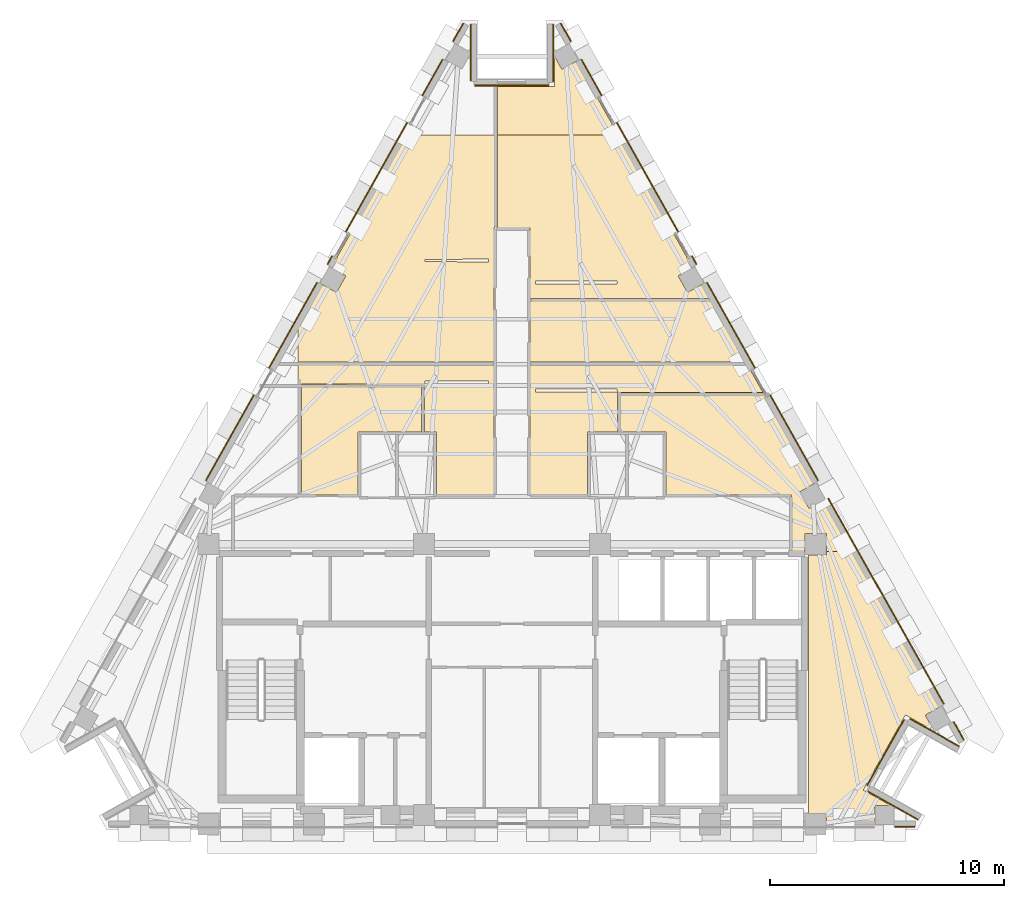
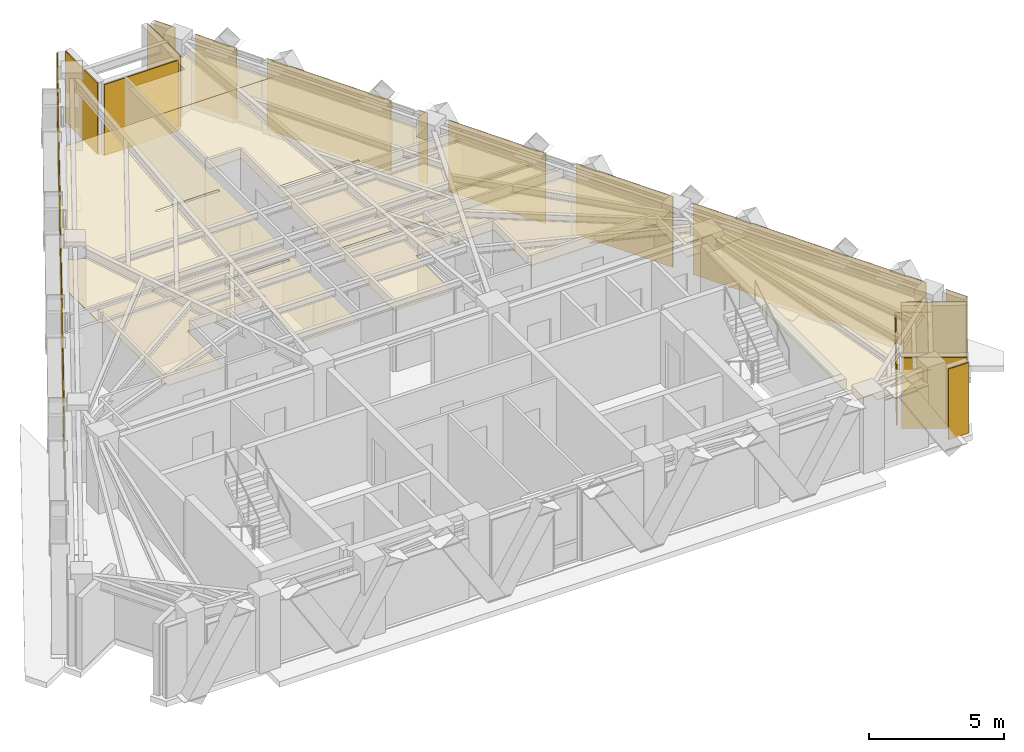
# One storey, part 9 of 9: 30 coverings.
"""IFC4 building model written with IfcOpenShell, lengths in metres."""

from ifc_helpers import new_model, si_unit, direction, frame, origin, place, context, subcontext, project, spatial, polyline, outline, extrude, material, layer, layer_set, type_object, element, save


model = new_model("IFC4")

# Units and contexts
model_context = context("Model", 3, precision=1e-05, world=origin(), true_north=direction((0.0, 1.0)))
body_context = subcontext(model_context, "Body", "Model", "MODEL_VIEW")
ifc_project = project(units=[si_unit("LENGTHUNIT", "METRE"), si_unit("AREAUNIT", "SQUARE_METRE"), si_unit("VOLUMEUNIT", "CUBIC_METRE"), si_unit("PLANEANGLEUNIT", "RADIAN"), si_unit("MASSUNIT", "GRAM", prefix="KILO")], contexts=[model_context])

# Site, building, storey
site_placement = place(None, origin())
site = spatial("IfcSite", under=ifc_project, at=site_placement, CompositionType="ELEMENT")
building_placement = place(site_placement, origin())
building = spatial("IfcBuilding", under=site, at=building_placement, Name="Quenlor Broadcast Tower", CompositionType="ELEMENT")
storey_placement = place(building_placement, frame((0.0, 0.0, 228.89990234375)))
storey = spatial("IfcBuildingStorey", under=building, at=storey_placement, Name="L63", CompositionType="ELEMENT", Elevation=228.89990234375)

# Coverings
ifc_material_1 = material(Name="Acoustic Mineral Fibre Board", Category="other")
ifc_layer_1 = layer(ifc_material_1, 0.02490234375)
ifc_layer_set_1 = layer_set([ifc_layer_1], Name="Acoustic Perforated Mineral Tile Ceiling 25")
covering_type_1 = type_object("IfcCoveringType", Name="Acoustic Perforated Mineral Tile Ceiling 25", PredefinedType="CEILING", material=ifc_layer_set_1)
covering_1_placement = place(storey_placement, frame((0.0, 0.0, 2.714599609375)))
element("IfcCovering", 1, at=covering_1_placement, inside=storey, type_object=covering_type_1, Name="L63 Acoustic Ceiling L63-26", PredefinedType="CEILING", context=body_context, shape_type="SweptSolid", body=[
    extrude(outline(polyline([(4.5, 12.5830078125), (4.51318359375, 12.598388671875), (4.53564453125, 12.6171875), (7.711669921875, 6.996826171875), (7.0859375, 6.64501953125), (7.48583984375, 5.93359375), (8.11181640625, 6.28564453125), (8.446533203125, 5.690185546875), (0.760009765625, 5.690185546875), (0.760009765625, 8.679931640625), (-0.6201171875, 8.679931640625), (-0.6201171875, 12.64990234375), (4.5, 12.64990234375), (4.5, 12.5830078125)]), holes=[polyline([(4.469970703125, 6.419921875), (1.0, 6.419921875), (1.0, 6.300048828125), (4.469970703125, 6.300048828125), (4.472900390625, 6.329345703125), (4.4814453125, 6.362548828125), (4.472900390625, 6.390625), (4.469970703125, 6.419921875)])]), origin(), (0.0, 0.0, 1.0), 0.025146484375),
])
covering_2_placement = place(storey_placement, frame((0.0, 0.0, 2.714599609375)))
element("IfcCovering", 2, at=covering_2_placement, inside=storey, type_object=covering_type_1, Name="L63 Acoustic Ceiling L63-26-2", PredefinedType="CEILING", context=body_context, shape_type="SweptSolid", body=[
    extrude(outline(polyline([(1.808837890625, 16.0263671875), (2.129150390625, 15.456787109375), (2.7548828125, 15.808837890625), (4.5, 12.70654296875), (4.5, 12.64990234375), (-0.6201171875, 12.64990234375), (-0.6201171875, 14.719970703125), (1.808837890625, 14.719970703125), (1.808837890625, 16.0263671875)])), origin(), (0.0, 0.0, 1.0), 0.025146484375),
])
covering_3_placement = place(storey_placement, frame((0.0, 0.0, 2.714599609375)))
element("IfcCovering", 3, at=covering_3_placement, inside=storey, type_object=covering_type_1, Name="L63 Acoustic Ceiling L63-27", PredefinedType="CEILING", context=body_context, shape_type="SweptSolid", body=[
    extrude(outline(polyline([(-9.10009765625, 4.5283203125), (-9.039794921875, 4.635986328125), (-8.9599609375, 4.777587890625), (-8.11181640625, 6.28564453125), (-7.48583984375, 5.93359375), (-7.0859375, 6.64501953125), (-7.711669921875, 6.996826171875), (-7.04248046875, 8.186279296875), (-5.781005859375, 10.42919921875), (-4.53173828125, 12.64990234375), (-0.739990234375, 12.64990234375), (-0.739990234375, 8.679931640625), (-0.760009765625, 8.679931640625), (-0.760009765625, 2.969970703125), (-9.1298828125, 2.969970703125), (-9.1298828125, 4.475341796875), (-9.10009765625, 4.5283203125)]), holes=[polyline([(-3.712646484375, 7.300048828125), (-3.70654296875, 7.283447265625), (-3.70068359375, 7.254638671875), (-1.0, 7.239990234375), (-1.0, 7.360107421875), (-3.70068359375, 7.34521484375), (-3.70654296875, 7.31640625), (-3.712646484375, 7.300048828125)])]), origin(), (0.0, 0.0, 1.0), 0.025146484375),
])
covering_4_placement = place(storey_placement, frame((0.0, 0.0, 2.714599609375)))
element("IfcCovering", 4, at=covering_4_placement, inside=storey, type_object=covering_type_1, Name="L63 Acoustic Ceiling L63-28", PredefinedType="CEILING", context=body_context, shape_type="SweptSolid", body=[
    extrude(outline(polyline([(8.51416015625, 5.5703125), (9.976806640625, 2.969970703125), (0.760009765625, 2.969970703125), (0.760009765625, 5.5703125), (8.51416015625, 5.5703125)])), origin(), (0.0, 0.0, 1.0), 0.025146484375),
])
covering_5_placement = place(storey_placement, frame((0.0, 0.0, 2.714599609375)))
element("IfcCovering", 5, at=covering_5_placement, inside=storey, type_object=covering_type_1, Name="L63 Acoustic Ceiling L63-29", PredefinedType="CEILING", context=body_context, shape_type="SweptSolid", body=[
    extrude(outline(polyline([(4.6201171875, 1.659912109375), (4.5908203125, 1.662841796875), (4.5625, 1.67138671875), (4.53662109375, 1.685302734375), (4.513916015625, 1.703857421875), (4.495361328125, 1.726806640625), (4.4814453125, 1.752685546875), (4.472900390625, 1.78076171875), (4.469970703125, 1.81005859375), (1.0, 1.81005859375), (1.0, 1.68994140625), (4.5, 1.68994140625), (4.5, -0.010009765625), (3.22998046875, -0.010009765625), (3.22998046875, -2.699951171875), (0.760009765625, -2.699951171875), (0.760009765625, 2.85009765625), (10.044189453125, 2.85009765625), (10.702880859375, 1.679443359375), (10.687255859375, 1.671630859375), (10.65869140625, 1.662841796875), (10.62939453125, 1.659912109375), (4.6201171875, 1.659912109375)])), origin(), (0.0, 0.0, 1.0), 0.025146484375),
])
covering_6_placement = place(storey_placement, frame((0.0, 0.0, 2.714599609375)))
element("IfcCovering", 6, at=covering_6_placement, inside=storey, type_object=covering_type_1, Name="L63 Acoustic Ceiling L63-30", PredefinedType="CEILING", context=body_context, shape_type="SweptSolid", body=[
    extrude(outline(polyline([(-3.72998046875, -0.010009765625), (-3.72998046875, 2.0400390625), (-1.0, 2.0400390625), (-1.0, 2.159912109375), (-3.699951171875, 2.159912109375), (-3.702880859375, 2.130615234375), (-3.71142578125, 2.1025390625), (-3.725341796875, 2.07666015625), (-3.743896484375, 2.053955078125), (-3.7666015625, 2.035400390625), (-3.79248046875, 2.021484375), (-3.82080078125, 2.012939453125), (-3.85009765625, 2.010009765625), (-8.97998046875, 2.010009765625), (-9.00927734375, 2.012939453125), (-9.037353515625, 2.021484375), (-9.063232421875, 2.035400390625), (-9.086181640625, 2.053955078125), (-9.104736328125, 2.07666015625), (-9.11865234375, 2.1025390625), (-9.127197265625, 2.130615234375), (-9.1298828125, 2.159912109375), (-9.1298828125, 2.85009765625), (-0.760009765625, 2.85009765625), (-0.760009765625, -2.699951171875), (-3.22998046875, -2.699951171875), (-3.22998046875, -0.010009765625), (-3.72998046875, -0.010009765625)])), origin(), (0.0, 0.0, 1.0), 0.025146484375),
])
covering_7_placement = place(storey_placement, frame((0.0, 0.0, 2.714599609375)))
element("IfcCovering", 7, at=covering_7_placement, inside=storey, type_object=covering_type_1, Name="L63 Acoustic Ceiling L63-31", PredefinedType="CEILING", context=body_context, shape_type="SweptSolid", body=[
    extrude(outline(polyline([(-8.97998046875, 2.0400390625), (-3.85009765625, 2.0400390625), (-3.85009765625, -0.010009765625), (-6.570068359375, -0.010009765625), (-6.570068359375, -2.699951171875), (-8.97998046875, -2.699951171875), (-8.97998046875, 2.0400390625)])), origin(), (0.0, 0.0, 1.0), 0.025146484375),
])
ifc_material_2 = material(Name="Acoustic Gypsum Board", Category="other")
ifc_layer_2 = layer(ifc_material_2, 0.0400390625)
ifc_layer_set_2 = layer_set([ifc_layer_2], Name="Broadcast Studio Spring Isolated Ceiling 40")
covering_type_2 = type_object("IfcCoveringType", Name="Broadcast Studio Spring Isolated Ceiling 40", PredefinedType="CEILING", material=ifc_layer_set_2)
covering_8_placement = place(storey_placement, frame((0.0, 0.0, 2.69970703125)))
element("IfcCovering", 8, at=covering_8_placement, inside=storey, type_object=covering_type_2, Name="L63 Acoustic Ceiling L63-32", PredefinedType="CEILING", context=body_context, shape_type="SweptSolid", body=[
    extrude(outline(polyline([(13.407958984375, -4.342041015625), (12.491943359375, -4.342041015625), (12.491943359375, -5.1201171875), (11.929931640625, -5.1201171875), (11.929931640625, -2.699951171875), (6.570068359375, -2.699951171875), (6.570068359375, -0.010009765625), (4.6201171875, -0.010009765625), (4.6201171875, 1.68994140625), (10.69677734375, 1.68994140625), (12.895751953125, -2.218994140625), (12.27001953125, -2.571044921875), (12.669921875, -3.2822265625), (13.295654296875, -2.930419921875), (14.52734375, -5.1201171875), (13.407958984375, -5.1201171875), (13.407958984375, -4.342041015625)])), origin(), (0.0, 0.0, 1.0), 0.0400390625),
])
covering_9_placement = place(storey_placement, frame((0.0, 0.0, 2.69970703125)))
element("IfcCovering", 9, at=covering_9_placement, inside=storey, type_object=covering_type_2, Name="L63 Acoustic Ceiling L63-32-2", PredefinedType="CEILING", context=body_context, shape_type="SweptSolid", body=[
    extrude(outline(polyline([(13.407958984375, -5.1201171875), (14.52734375, -5.1201171875), (18.25244140625, -11.7421875), (17.626708984375, -12.09423828125), (18.0087890625, -12.773681640625), (16.785888671875, -12.085693359375), (14.983642578125, -15.28955078125), (16.1435546875, -15.94189453125), (15.489501953125, -15.94189453125), (15.489501953125, -16.659912109375), (13.407958984375, -16.659912109375), (13.407958984375, -16.2919921875), (12.64990234375, -16.2919921875), (12.64990234375, -5.258056640625), (13.407958984375, -5.258056640625), (13.407958984375, -5.1201171875)])), origin(), (0.0, 0.0, 1.0), 0.0400390625),
])
ifc_material_3 = material(Name="Architectural Terracotta Ceramic", Category="masonry")
ifc_layer_3 = layer(ifc_material_3, 0.044921875)
ifc_layer_set_3 = layer_set([ifc_layer_3], Name="Fluted Terracotta Rainscreen Cladding Panel")
covering_type_3 = type_object("IfcCoveringType", Name="Fluted Terracotta Rainscreen Cladding Panel", PredefinedType="CLADDING", material=ifc_layer_set_3)
covering_10_placement = place(storey_placement, frame((0.0, 0.0, 0.02001953125)))
element("IfcCovering", 10, at=covering_10_placement, inside=storey, type_object=covering_type_3, Name="L63 Terracotta Rainscreen Cladding L63-SHD-SS0", PredefinedType="CLADDING", context=body_context, shape_type="SweptSolid", body=[
    extrude(outline(polyline([(17.18994140625, -16.8369140625), (16.33251953125, -16.8369140625), (16.33251953125, -16.882080078125), (17.18994140625, -16.882080078125), (17.18994140625, -16.8369140625)])), origin(), (0.0, 0.0, 1.0), 3.2099609375),
])
covering_11_placement = place(storey_placement, frame((0.0, 0.0, 0.02001953125)))
element("IfcCovering", 11, at=covering_11_placement, inside=storey, type_object=covering_type_3, Name="L63 Terracotta Rainscreen Cladding L63-SHD-NES0", PredefinedType="CLADDING", context=body_context, shape_type="SweptSolid", body=[
    extrude(outline(polyline([(2.06201171875, 17.401611328125), (2.495849609375, 16.630615234375), (2.534912109375, 16.652587890625), (2.101318359375, 17.423583984375), (2.06201171875, 17.401611328125)])), origin(), (0.0, 0.0, 1.0), 3.2099609375),
])
covering_12_placement = place(storey_placement, frame((0.0, 0.0, 0.02001953125)))
element("IfcCovering", 12, at=covering_12_placement, inside=storey, type_object=covering_type_3, Name="L63 Terracotta Rainscreen Cladding L63-SHD-NES1", PredefinedType="CLADDING", context=body_context, shape_type="SweptSolid", body=[
    extrude(outline(polyline([(18.820068359375, -12.39013671875), (19.25390625, -13.161376953125), (19.29296875, -13.139404296875), (18.859130859375, -12.3681640625), (18.820068359375, -12.39013671875)])), origin(), (0.0, 0.0, 1.0), 3.2099609375),
])
covering_13_placement = place(storey_placement, frame((0.0, 0.0, 0.02001953125)))
element("IfcCovering", 13, at=covering_13_placement, inside=storey, type_object=covering_type_3, Name="L63 Terracotta Rainscreen Cladding L63-NEA-SP1", PredefinedType="CLADDING", context=body_context, shape_type="SweptSolid", body=[
    extrude(outline(polyline([(2.94091796875, 15.859619140625), (3.8037109375, 14.325927734375), (3.8427734375, 14.347900390625), (2.980224609375, 15.881591796875), (2.94091796875, 15.859619140625)])), origin(), (0.0, 0.0, 1.0), 3.2099609375),
])
covering_14_placement = place(storey_placement, frame((0.0, 0.0, 0.02001953125)))
element("IfcCovering", 14, at=covering_14_placement, inside=storey, type_object=covering_type_3, Name="L63 Terracotta Rainscreen Cladding L63-NEA-SP2", PredefinedType="CLADDING", context=body_context, shape_type="SweptSolid", body=[
    extrude(outline(polyline([(4.450927734375, 13.17529296875), (7.0732421875, 8.51318359375), (7.1123046875, 8.53515625), (4.490234375, 13.197265625), (4.450927734375, 13.17529296875)])), origin(), (0.0, 0.0, 1.0), 3.2099609375),
])
covering_15_placement = place(storey_placement, frame((0.0, 0.0, 0.02001953125)))
element("IfcCovering", 15, at=covering_15_placement, inside=storey, type_object=covering_type_3, Name="L63 Terracotta Rainscreen Cladding L63-NEA-SP3", PredefinedType="CLADDING", context=body_context, shape_type="SweptSolid", body=[
    extrude(outline(polyline([(7.655517578125, 7.478271484375), (7.8515625, 7.129638671875), (7.890625, 7.151611328125), (7.694580078125, 7.500244140625), (7.655517578125, 7.478271484375)])), origin(), (0.0, 0.0, 1.0), 3.2099609375),
])
covering_16_placement = place(storey_placement, frame((0.0, 0.0, 0.02001953125)))
element("IfcCovering", 16, at=covering_16_placement, inside=storey, type_object=covering_type_3, Name="L63 Terracotta Rainscreen Cladding L63-EW-NEC", PredefinedType="CLADDING", context=body_context, shape_type="SweptSolid", body=[
    extrude(outline(polyline([(13.471923828125, -2.862060546875), (18.402099609375, -11.626953125), (18.44140625, -11.60498046875), (13.51123046875, -2.840087890625), (13.471923828125, -2.862060546875)])), origin(), (0.0, 0.0, 1.0), 3.2099609375),
])
covering_17_placement = place(storey_placement, frame((0.0, 0.0, 0.02001953125)))
element("IfcCovering", 17, at=covering_17_placement, inside=storey, type_object=covering_type_3, Name="L63 Terracotta Rainscreen Cladding L63-NE-SP1", PredefinedType="CLADDING", context=body_context, shape_type="SweptSolid", body=[
    extrude(outline(polyline([(8.295166015625, 6.3408203125), (10.343017578125, 2.700439453125), (10.382080078125, 2.722412109375), (8.33447265625, 6.36279296875), (8.295166015625, 6.3408203125)])), origin(), (0.0, 0.0, 1.0), 3.2099609375),
])
covering_18_placement = place(storey_placement, frame((0.0, 0.0, 0.02001953125)))
element("IfcCovering", 18, at=covering_18_placement, inside=storey, type_object=covering_type_3, Name="L63 Terracotta Rainscreen Cladding L63-NE-SP2", PredefinedType="CLADDING", context=body_context, shape_type="SweptSolid", body=[
    extrude(outline(polyline([(10.990234375, 1.5498046875), (13.0380859375, -2.0908203125), (13.0771484375, -2.068603515625), (11.029541015625, 1.57177734375), (10.990234375, 1.5498046875)])), origin(), (0.0, 0.0, 1.0), 3.2099609375),
])
covering_19_placement = place(storey_placement, frame((0.0, 0.0, 0.02001953125)))
element("IfcCovering", 19, at=covering_19_placement, inside=storey, type_object=covering_type_3, Name="L63 Terracotta Rainscreen Cladding L63-SHD-NWS1", PredefinedType="CLADDING", context=body_context, shape_type="SweptSolid", body=[
    extrude(outline(polyline([(-2.495849609375, 16.630615234375), (-2.06201171875, 17.401611328125), (-2.101318359375, 17.423583984375), (-2.534912109375, 16.652587890625), (-2.495849609375, 16.630615234375)])), origin(), (0.0, 0.0, 1.0), 3.2099609375),
])
covering_20_placement = place(storey_placement, frame((0.0, 0.0, 0.02001953125)))
element("IfcCovering", 20, at=covering_20_placement, inside=storey, type_object=covering_type_3, Name="L63 Terracotta Rainscreen Cladding L63-NWC-SP1", PredefinedType="CLADDING", context=body_context, shape_type="SweptSolid", body=[
    extrude(outline(polyline([(-7.8515625, 7.129638671875), (-7.655517578125, 7.478271484375), (-7.694580078125, 7.500244140625), (-7.890625, 7.151611328125), (-7.8515625, 7.129638671875)])), origin(), (0.0, 0.0, 1.0), 3.2099609375),
])
covering_21_placement = place(storey_placement, frame((0.0, 0.0, 0.02001953125)))
element("IfcCovering", 21, at=covering_21_placement, inside=storey, type_object=covering_type_3, Name="L63 Terracotta Rainscreen Cladding L63-NWC-SP2", PredefinedType="CLADDING", context=body_context, shape_type="SweptSolid", body=[
    extrude(outline(polyline([(-7.0732421875, 8.51318359375), (-4.450927734375, 13.17529296875), (-4.490234375, 13.197265625), (-7.1123046875, 8.53515625), (-7.0732421875, 8.51318359375)])), origin(), (0.0, 0.0, 1.0), 3.2099609375),
])
covering_22_placement = place(storey_placement, frame((0.0, 0.0, 0.02001953125)))
element("IfcCovering", 22, at=covering_22_placement, inside=storey, type_object=covering_type_3, Name="L63 Terracotta Rainscreen Cladding L63-NWC-SP3", PredefinedType="CLADDING", context=body_context, shape_type="SweptSolid", body=[
    extrude(outline(polyline([(-3.8037109375, 14.325927734375), (-2.94091796875, 15.859619140625), (-2.980224609375, 15.881591796875), (-3.8427734375, 14.347900390625), (-3.8037109375, 14.325927734375)])), origin(), (0.0, 0.0, 1.0), 3.2099609375),
])
covering_23_placement = place(storey_placement, frame((0.0, 0.0, 0.02001953125)))
element("IfcCovering", 23, at=covering_23_placement, inside=storey, type_object=covering_type_3, Name="L63 Terracotta Rainscreen Cladding L63-NW-SP1", PredefinedType="CLADDING", context=body_context, shape_type="SweptSolid", body=[
    extrude(outline(polyline([(-13.0380859375, -2.0908203125), (-10.990234375, 1.5498046875), (-11.029541015625, 1.57177734375), (-13.0771484375, -2.068603515625), (-13.0380859375, -2.0908203125)])), origin(), (0.0, 0.0, 1.0), 3.2099609375),
])
covering_24_placement = place(storey_placement, frame((0.0, 0.0, 0.02001953125)))
element("IfcCovering", 24, at=covering_24_placement, inside=storey, type_object=covering_type_3, Name="L63 Terracotta Rainscreen Cladding L63-NW-SP2", PredefinedType="CLADDING", context=body_context, shape_type="SweptSolid", body=[
    extrude(outline(polyline([(-10.343017578125, 2.700439453125), (-8.295166015625, 6.3408203125), (-8.33447265625, 6.36279296875), (-10.382080078125, 2.722412109375), (-10.343017578125, 2.700439453125)])), origin(), (0.0, 0.0, 1.0), 3.2099609375),
])
covering_25_placement = place(storey_placement, frame((0.0, 0.0, 0.02001953125)))
element("IfcCovering", 25, at=covering_25_placement, inside=storey, type_object=covering_type_3, Name="L63 Terracotta Rainscreen Cladding L63-CNR-01", PredefinedType="CLADDING", context=body_context, shape_type="SweptSolid", body=[
    extrude(outline(polyline([(17.32666015625, -16.529541015625), (15.199951171875, -15.333251953125), (15.177978515625, -15.372314453125), (17.3046875, -16.568603515625), (17.32666015625, -16.529541015625)])), origin(), (0.0, 0.0, 1.0), 3.2099609375),
])
covering_26_placement = place(storey_placement, frame((0.0, 0.0, 0.02001953125)))
element("IfcCovering", 26, at=covering_26_placement, inside=storey, type_object=covering_type_3, Name="L63 Terracotta Rainscreen Cladding L63-CNR-02", PredefinedType="CLADDING", context=body_context, shape_type="SweptSolid", body=[
    extrude(outline(polyline([(15.16552734375, -15.10498046875), (16.7421875, -12.302001953125), (16.702880859375, -12.280029296875), (15.126220703125, -15.0830078125), (15.16552734375, -15.10498046875)])), origin(), (0.0, 0.0, 1.0), 2.749755859375),
])
covering_27_placement = place(storey_placement, frame((0.0, 0.0, 0.02001953125)))
element("IfcCovering", 27, at=covering_27_placement, inside=storey, type_object=covering_type_3, Name="L63 Terracotta Rainscreen Cladding L63-CNR-03", PredefinedType="CLADDING", context=body_context, shape_type="SweptSolid", body=[
    extrude(outline(polyline([(16.970458984375, -12.267578125), (19.062255859375, -13.444091796875), (19.084228515625, -13.405029296875), (16.992431640625, -12.228271484375), (16.970458984375, -12.267578125)])), origin(), (0.0, 0.0, 1.0), 3.2099609375),
])
covering_28_placement = place(storey_placement, frame((0.0, 0.0, 0.02001953125)))
element("IfcCovering", 28, at=covering_28_placement, inside=storey, type_object=covering_type_3, Name="L63 Terracotta Rainscreen Cladding L63-CNR-07", PredefinedType="CLADDING", context=body_context, shape_type="SweptSolid", body=[
    extrude(outline(polyline([(1.74072265625, 17.3701171875), (1.74072265625, 14.929931640625), (1.785888671875, 14.929931640625), (1.785888671875, 17.3701171875), (1.74072265625, 17.3701171875)])), origin(), (0.0, 0.0, 1.0), 3.2099609375),
])
covering_29_placement = place(storey_placement, frame((0.0, 0.0, 0.02001953125)))
element("IfcCovering", 29, at=covering_29_placement, inside=storey, type_object=covering_type_3, Name="L63 Terracotta Rainscreen Cladding L63-CNR-08", PredefinedType="CLADDING", context=body_context, shape_type="SweptSolid", body=[
    extrude(outline(polyline([(1.558837890625, 14.7880859375), (-1.598876953125, 14.7880859375), (-1.598876953125, 14.742919921875), (1.558837890625, 14.742919921875), (1.558837890625, 14.7880859375)])), origin(), (0.0, 0.0, 1.0), 3.2099609375),
])
covering_30_placement = place(storey_placement, frame((0.0, 0.0, 0.02001953125)))
element("IfcCovering", 30, at=covering_30_placement, inside=storey, type_object=covering_type_3, Name="L63 Terracotta Rainscreen Cladding L63-CNR-09", PredefinedType="CLADDING", context=body_context, shape_type="SweptSolid", body=[
    extrude(outline(polyline([(-1.74072265625, 14.969970703125), (-1.74072265625, 17.3701171875), (-1.785888671875, 17.3701171875), (-1.785888671875, 14.969970703125), (-1.74072265625, 14.969970703125)])), origin(), (0.0, 0.0, 1.0), 3.2099609375),
])

save(model, "model.ifc")
